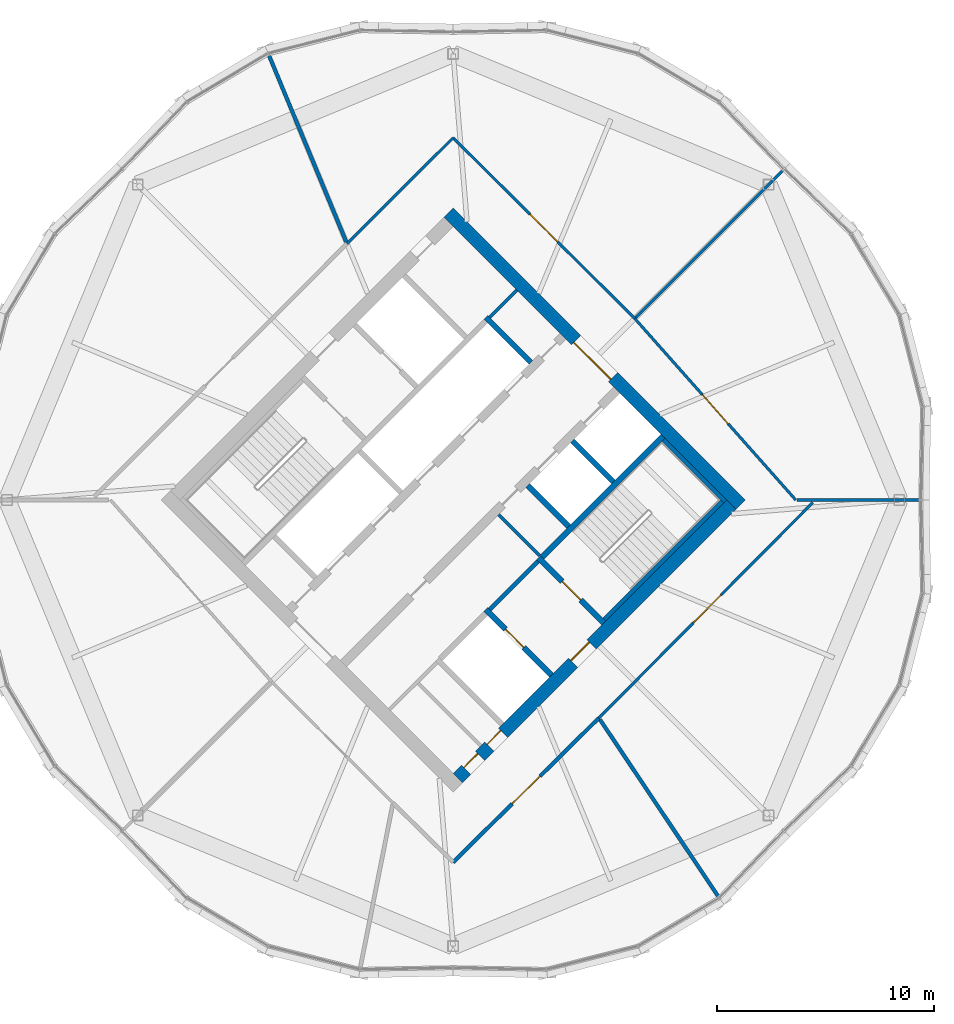
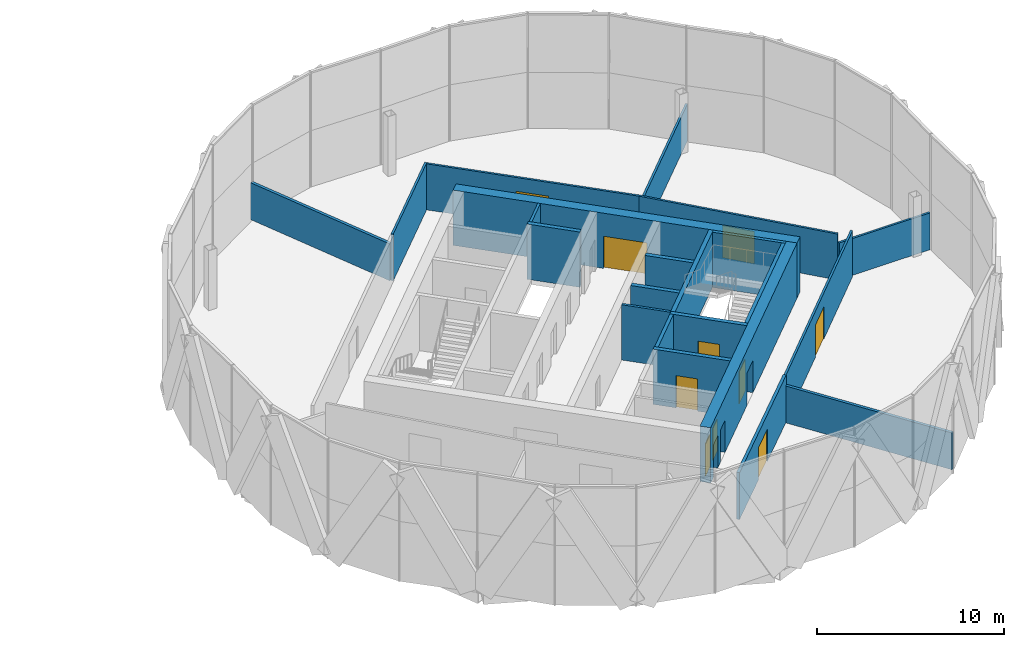
# One storey, part 22 of 27: 22 walls, 10 doors, 10 openings.
"""IFC4 building model written with IfcOpenShell, lengths in metres."""

from ifc_helpers import new_model, si_unit, direction, frame, frame_2d, origin, place, context, subcontext, project, spatial, rectangle, extrude, material, layer, layer_set, type_object, element, fill, save


model = new_model("IFC4")

# Units and contexts
model_context = context("Model", 3, precision=1e-05, world=origin(), true_north=direction((0.0, 1.0)))
body_context = subcontext(model_context, "Body", "Model", "MODEL_VIEW")
ifc_project = project(units=[si_unit("LENGTHUNIT", "METRE"), si_unit("AREAUNIT", "SQUARE_METRE"), si_unit("VOLUMEUNIT", "CUBIC_METRE"), si_unit("PLANEANGLEUNIT", "RADIAN"), si_unit("MASSUNIT", "GRAM", prefix="KILO")], contexts=[model_context])

# Site, building, storey
site_placement = place(None, origin())
site = spatial("IfcSite", under=ifc_project, at=site_placement, CompositionType="ELEMENT")
building_placement = place(site_placement, origin())
building = spatial("IfcBuilding", under=site, at=building_placement, Name="Ogive Gate Towers", CompositionType="ELEMENT")
storey_placement = place(building_placement, frame((0.0, 0.0, 189.0)))
storey = spatial("IfcBuildingStorey", under=building, at=storey_placement, Name="L45", CompositionType="ELEMENT", Elevation=189.0)

# Walls
ifc_material_1 = material(Name="Gypsum board acoustic partition")
ifc_layer_1 = layer(ifc_material_1, 0.175048828125)
ifc_layer_set_1 = layer_set([ifc_layer_1], Name="Acoustic partition 175")
wall_type_1 = type_object("IfcWallType", Name="Acoustic partition 175", PredefinedType="PARTITIONING", material=ifc_layer_set_1)
wall_1_placement = place(storey_placement, frame((27.498291015625, 20.52490234375, 0.0), z_axis=(0.0, 0.0, 1.0), x_axis=(0.382682490041, -0.923879922834, 0.0)))
element("IfcWall", 1, at=wall_1_placement, inside=storey, type_object=wall_type_1, Name="Partition T2-L45-003", PredefinedType="PARTITIONING", context=body_context, shape_type="SweptSolid", body=[
    extrude(rectangle(XDim=9.367431640625, YDim=0.175048828125, at=frame_2d((4.68359375, 0.0))), origin(), (0.0, 0.0, 1.0), 2.39990234375),
])
wall_2_placement = place(storey_placement, frame((48.2587890625, -18.331787109375, 0.0), z_axis=(0.0, 0.0, 1.0), x_axis=(-0.55588278431, 0.831260687214, 0.0)))
element("IfcWall", 2, at=wall_2_placement, inside=storey, type_object=wall_type_1, Name="Partition T2-L45-007", PredefinedType="PARTITIONING", context=body_context, shape_type="SweptSolid", body=[
    extrude(rectangle(XDim=9.90478515625, YDim=0.175048828125, at=frame_2d((4.952392578125, 0.0))), origin(), (0.0, 0.0, 1.0), 2.39990234375),
])

# Wall, opening, door
wall_3_placement = place(storey_placement, frame((36.0, -16.659423828125, 0.0), z_axis=(0.0, 0.0, 1.0), x_axis=(0.710811571556, 0.703382477563, 0.0)))
wall_3 = element("IfcWall", 3, at=wall_3_placement, inside=storey, type_object=wall_type_1, Name="Partition T2-L45-010", PredefinedType="PARTITIONING", context=body_context, shape_type="SweptSolid", body=[
    extrude(rectangle(XDim=9.431640625, YDim=0.175048828125, at=frame_2d((4.7158203125, 0.0))), origin(), (0.0, 0.0, 1.0), 3.050048828125),
])
opening_1_placement = place(wall_3_placement, frame((3.81591796875, 0.0, 0.0)))
opening_1 = element("IfcOpeningElement", 4, at=opening_1_placement, cuts=wall_3, Name="Opening T2-L45-D03", PredefinedType="OPENING", context=body_context, shape_type="SweptSolid", body=[
    extrude(rectangle(XDim=1.800048828125, YDim=2.10009765625, at=frame_2d((0.89990234375, 1.050048828125))), frame((0.0, 0.09765625, 0.0), z_axis=(0.0, -1.0, 0.0), x_axis=(1.0, 0.0, 0.0)), (0.0, 0.0, 1.0), 0.195068359375),
])
ifc_material_2 = material(Name="Timber door", Category="wood")
door_type_1 = type_object("IfcDoorType", Name="Door pair 1800", OperationType="NOTDEFINED", PredefinedType="DOOR", material=ifc_material_2)
door_1_placement = place(opening_1_placement, origin())
door_1 = element("IfcDoor", 5, at=door_1_placement, inside=storey, type_object=door_type_1, Name="Door T2-L45-D03", OperationType="DOUBLE_DOOR_DOUBLE_SWING", OverallHeight=2.10009765625, OverallWidth=1.800048828125, PredefinedType="DOOR", context=body_context, shape_type="SweptSolid", body=[
    extrude(rectangle(XDim=1.800048828125, YDim=2.10009765625, at=frame_2d((0.89990234375, 1.050048828125))), frame((0.0, 0.02490234375, 0.0), z_axis=(0.0, -1.0, 0.0), x_axis=(1.0, 0.0, 0.0)), (0.0, 0.0, 1.0), 0.050048828125),
])
fill(opening_1, door_1)

# Wall
ifc_material_3 = material(Name="Masonry blockwork", Category="masonry")
ifc_layer_2 = layer(ifc_material_3, 0.199951171875)
ifc_layer_set_2 = layer_set([ifc_layer_2], Name="Blockwork wall 200 mm")
wall_type_2 = type_object("IfcWallType", Name="Blockwork wall 200 mm", PredefinedType="PARTITIONING", material=ifc_layer_set_2)
wall_4_placement = place(storey_placement, frame((37.679443359375, -5.0380859375, 0.0), z_axis=(0.0, 0.0, 1.0), x_axis=(0.707106781187, 0.707106781187, 0.0)))
element("IfcWall", 6, at=wall_4_placement, inside=storey, type_object=wall_type_2, Name="T2 L45 Blockwork wall 200 mm", PredefinedType="PARTITIONING", context=body_context, shape_type="SweptSolid", body=[
    extrude(rectangle(XDim=3.14990234375, YDim=0.199951171875, at=frame_2d((1.574951171875, 0.0))), origin(), (0.0, 0.0, 1.0), 3.60009765625),
])

# Wall, openings, doors
ifc_material_4 = material(Name="Concrete C60/75", Category="concrete")
ifc_layer_3 = layer(ifc_material_4, 0.60009765625)
ifc_layer_set_3 = layer_set([ifc_layer_3], Name="Core wall 600 mm")
wall_type_3 = type_object("IfcWallType", Name="Core wall 600 mm", PredefinedType="SHEAR", material=ifc_layer_set_3)
wall_5_placement = place(storey_placement, frame((36.212158203125, -12.798583984375, 0.0), z_axis=(0.0, 0.0, 1.0), x_axis=(0.707106781187, 0.707106781187, 0.0)))
wall_5 = element("IfcWall", 7, at=wall_5_placement, inside=storey, type_object=wall_type_3, Name="T2 L45 Core wall 600 mm", PredefinedType="SHEAR", context=body_context, shape_type="SweptSolid", body=[
    extrude(rectangle(XDim=17.7998046875, YDim=0.60009765625, at=frame_2d((8.89990234375, 0.0))), origin(), (0.0, 0.0, 1.0), 3.60009765625),
])
opening_2_placement = place(wall_5_placement, frame((7.5, 0.0, 0.0)))
opening_2 = element("IfcOpeningElement", 8, at=opening_2_placement, cuts=wall_5, Name="Opening KD-T2-L45-19", PredefinedType="OPENING", context=body_context, shape_type="SweptSolid", body=[
    extrude(rectangle(XDim=1.199951171875, YDim=2.10009765625, at=frame_2d((0.60009765625, 1.050048828125))), frame((0.0, 0.31005859375, 0.0), z_axis=(0.0, -1.0, 0.0), x_axis=(1.0, 0.0, 0.0)), (0.0, 0.0, 1.0), 0.6201171875),
])
opening_3_placement = place(wall_5_placement, frame((0.550048828125, 0.0, 0.0)))
opening_3 = element("IfcOpeningElement", 9, at=opening_3_placement, cuts=wall_5, Name="Opening KD-T2-L45-21", PredefinedType="OPENING", context=body_context, shape_type="SweptSolid", body=[
    extrude(rectangle(XDim=0.89990234375, YDim=2.10009765625, at=frame_2d((0.449951171875, 1.050048828125))), frame((0.0, 0.31005859375, 0.0), z_axis=(0.0, -1.0, 0.0), x_axis=(1.0, 0.0, 0.0)), (0.0, 0.0, 1.0), 0.6201171875),
])
opening_4_placement = place(wall_5_placement, frame((2.050048828125, 0.0, 0.0)))
opening_4 = element("IfcOpeningElement", 10, at=opening_4_placement, cuts=wall_5, Name="Opening KD-T2-L45-22", PredefinedType="OPENING", context=body_context, shape_type="SweptSolid", body=[
    extrude(rectangle(XDim=0.89990234375, YDim=2.10009765625, at=frame_2d((0.449951171875, 1.050048828125))), frame((0.0, 0.31005859375, 0.0), z_axis=(0.0, -1.0, 0.0), x_axis=(1.0, 0.0, 0.0)), (0.0, 0.0, 1.0), 0.6201171875),
])
door_type_2 = type_object("IfcDoorType", Name="Core WC door 900 x 2100", OperationType="NOTDEFINED", PredefinedType="DOOR", material=ifc_material_2)
door_2_placement = place(opening_3_placement, origin())
door_2 = element("IfcDoor", 11, at=door_2_placement, inside=storey, type_object=door_type_2, Name="T2 L45 Core door", OperationType="SINGLE_SWING_RIGHT", OverallHeight=2.10009765625, OverallWidth=0.89990234375, PredefinedType="DOOR", context=body_context, shape_type="SweptSolid", body=[
    extrude(rectangle(XDim=0.89990234375, YDim=2.10009765625, at=frame_2d((0.449951171875, 1.050048828125))), frame((0.0, 0.1748046875, 0.0), z_axis=(0.0, -1.0, 0.0), x_axis=(1.0, 0.0, 0.0)), (0.0, 0.0, 1.0), 0.050048828125),
])
fill(opening_3, door_2)
door_3_placement = place(opening_4_placement, origin())
door_3 = element("IfcDoor", 12, at=door_3_placement, inside=storey, type_object=door_type_2, Name="T2 L45 Core door", OperationType="SINGLE_SWING_LEFT", OverallHeight=2.10009765625, OverallWidth=0.89990234375, PredefinedType="DOOR", context=body_context, shape_type="SweptSolid", body=[
    extrude(rectangle(XDim=0.89990234375, YDim=2.10009765625, at=frame_2d((0.449951171875, 1.050048828125))), frame((0.0, 0.1748046875, 0.0), z_axis=(0.0, -1.0, 0.0), x_axis=(1.0, 0.0, 0.0)), (0.0, 0.0, 1.0), 0.050048828125),
])
fill(opening_4, door_3)
ifc_material_5 = material(Name="Steel fire door", Category="steel")
door_type_3 = type_object("IfcDoorType", Name="Core door FD60S 1200 x 2100", OperationType="NOTDEFINED", PredefinedType="DOOR", material=ifc_material_5)
door_4_placement = place(opening_2_placement, origin())
door_4 = element("IfcDoor", 13, at=door_4_placement, inside=storey, type_object=door_type_3, Name="T2 L45 Fire-fighting lobby door", OperationType="SINGLE_SWING_RIGHT", OverallHeight=2.10009765625, OverallWidth=1.199951171875, PredefinedType="DOOR", context=body_context, shape_type="SweptSolid", body=[
    extrude(rectangle(XDim=1.199951171875, YDim=2.10009765625, at=frame_2d((0.60009765625, 1.050048828125))), frame((0.0, 0.1748046875, 0.0), z_axis=(0.0, -1.0, 0.0), x_axis=(1.0, 0.0, 0.0)), (0.0, 0.0, 1.0), 0.050048828125),
])
fill(opening_2, door_4)

# Wall, opening, door
wall_6_placement = place(storey_placement, frame((49.222900390625, -0.212158203125, 0.0), z_axis=(0.0, 0.0, 1.0), x_axis=(-0.707106781187, 0.707106781187, 0.0)))
wall_6 = element("IfcWall", 14, at=wall_6_placement, inside=storey, type_object=wall_type_3, Name="T2 L45 Core wall 600 mm", PredefinedType="SHEAR", context=body_context, shape_type="SweptSolid", body=[
    extrude(rectangle(XDim=19.0, YDim=0.60009765625, at=frame_2d((9.5, 0.0))), origin(), (0.0, 0.0, 1.0), 3.60009765625),
])
opening_5_placement = place(wall_6_placement, frame((8.300048828125, 0.0, 0.0)))
opening_5 = element("IfcOpeningElement", 15, at=opening_5_placement, cuts=wall_6, Name="Opening KD-T2-L45-02", PredefinedType="OPENING", context=body_context, shape_type="SweptSolid", body=[
    extrude(rectangle(XDim=2.39990234375, YDim=2.10009765625, at=frame_2d((1.199951171875, 1.050048828125))), frame((0.0, 0.31005859375, 0.0), z_axis=(0.0, -1.0, 0.0), x_axis=(1.0, 0.0, 0.0)), (0.0, 0.0, 1.0), 0.6201171875),
])
door_type_4 = type_object("IfcDoorType", Name="Core double door FD60S 2400 x 2100", OperationType="DOUBLE_DOOR_SINGLE_SWING", PredefinedType="DOOR", material=ifc_material_5)
door_5_placement = place(opening_5_placement, origin())
door_5 = element("IfcDoor", 16, at=door_5_placement, inside=storey, type_object=door_type_4, Name="T2 L45 Core door double", OperationType="DOUBLE_DOOR_SINGLE_SWING", OverallHeight=2.10009765625, OverallWidth=2.39990234375, PredefinedType="DOOR", context=body_context, shape_type="SweptSolid", body=[
    extrude(rectangle(XDim=2.39990234375, YDim=2.10009765625, at=frame_2d((1.199951171875, 1.050048828125))), frame((0.0, 0.1748046875, 0.0), z_axis=(0.0, -1.0, 0.0), x_axis=(1.0, 0.0, 0.0)), (0.0, 0.0, 1.0), 0.050048828125),
])
fill(opening_5, door_5)

# Walls
ifc_material_6 = material(Name="Gypsum board partition")
ifc_layer_4 = layer(ifc_material_6, 0.125)
ifc_layer_set_4 = layer_set([ifc_layer_4], Name="Partition 125")
wall_type_4 = type_object("IfcWallType", Name="Partition 125", PredefinedType="PARTITIONING", material=ifc_layer_set_4)
wall_7_placement = place(storey_placement, frame((57.4189453125, 0.0, 0.0), z_axis=(0.0, 0.0, 1.0), x_axis=(-1.0, 0.0, 0.0)))
element("IfcWall", 17, at=wall_7_placement, inside=storey, type_object=wall_type_4, Name="Partition T2-L45-001", PredefinedType="PARTITIONING", context=body_context, shape_type="SweptSolid", body=[
    extrude(rectangle(XDim=5.596435546875, YDim=0.125, at=frame_2d((2.79833984375, 0.0))), origin(), (0.0, 0.0, 1.0), 2.39990234375),
])
wall_8_placement = place(storey_placement, frame((51.248291015625, 15.248291015625, 0.0), z_axis=(0.0, 0.0, 1.0), x_axis=(-0.707106781187, -0.707106781187, 0.0)))
element("IfcWall", 18, at=wall_8_placement, inside=storey, type_object=wall_type_4, Name="Partition T2-L45-002", PredefinedType="PARTITIONING", context=body_context, shape_type="SweptSolid", body=[
    extrude(rectangle(XDim=9.69189453125, YDim=0.125, at=frame_2d((4.845947265625, 0.0))), origin(), (0.0, 0.0, 1.0), 2.39990234375),
])

# Wall, opening, door
wall_9_placement = place(storey_placement, frame((42.7041015625, -10.025390625, 0.0), z_axis=(0.0, 0.0, 1.0), x_axis=(0.704620567284, 0.709584284042, 0.0)))
wall_9 = element("IfcWall", 19, at=wall_9_placement, inside=storey, type_object=wall_type_4, Name="Partition T2-L45-012", PredefinedType="PARTITIONING", context=body_context, shape_type="SweptSolid", body=[
    extrude(rectangle(XDim=13.968505859375, YDim=0.125, at=frame_2d((6.984375, 0.0))), origin(), (0.0, 0.0, 1.0), 3.0),
])
opening_6_placement = place(wall_9_placement, frame((6.1640625, 0.0, 0.0)))
opening_6 = element("IfcOpeningElement", 20, at=opening_6_placement, cuts=wall_9, Name="Opening T2-L45-D04", PredefinedType="OPENING", context=body_context, shape_type="SweptSolid", body=[
    extrude(rectangle(XDim=1.800048828125, YDim=2.10009765625, at=frame_2d((0.89990234375, 1.050048828125))), frame((0.0, 0.072509765625, 0.0), z_axis=(0.0, -1.0, 0.0), x_axis=(1.0, 0.0, 0.0)), (0.0, 0.0, 1.0), 0.14501953125),
])
door_6_placement = place(opening_6_placement, origin())
door_6 = element("IfcDoor", 21, at=door_6_placement, inside=storey, type_object=door_type_1, Name="Door T2-L45-D04", OperationType="DOUBLE_DOOR_DOUBLE_SWING", OverallHeight=2.10009765625, OverallWidth=1.800048828125, PredefinedType="DOOR", context=body_context, shape_type="SweptSolid", body=[
    extrude(rectangle(XDim=1.800048828125, YDim=2.10009765625, at=frame_2d((0.89990234375, 1.050048828125))), frame((0.0, 0.02490234375, 0.0), z_axis=(0.0, -1.0, 0.0), x_axis=(1.0, 0.0, 0.0)), (0.0, 0.0, 1.0), 0.050048828125),
])
fill(opening_6, door_6)

wall_10_placement = place(storey_placement, frame((51.760009765625, 0.0, 0.0), z_axis=(0.0, 0.0, 1.0), x_axis=(-0.663674010549, 0.748021929974, 0.0)))
wall_10 = element("IfcWall", 22, at=wall_10_placement, inside=storey, type_object=wall_type_4, Name="Partition T2-L45-013", PredefinedType="PARTITIONING", context=body_context, shape_type="SweptSolid", body=[
    extrude(rectangle(XDim=11.163818359375, YDim=0.125, at=frame_2d((5.58203125, 0.0))), origin(), (0.0, 0.0, 1.0), 3.0),
])
opening_7_placement = place(wall_10_placement, frame((4.681884765625, 0.0, 0.0)))
opening_7 = element("IfcOpeningElement", 23, at=opening_7_placement, cuts=wall_10, Name="Opening T2-L45-D05", PredefinedType="OPENING", context=body_context, shape_type="SweptSolid", body=[
    extrude(rectangle(XDim=1.800048828125, YDim=2.10009765625, at=frame_2d((0.89990234375, 1.050048828125))), frame((0.0, 0.072509765625, 0.0), z_axis=(0.0, -1.0, 0.0), x_axis=(1.0, 0.0, 0.0)), (0.0, 0.0, 1.0), 0.14501953125),
])
door_7_placement = place(opening_7_placement, origin())
door_7 = element("IfcDoor", 24, at=door_7_placement, inside=storey, type_object=door_type_1, Name="Door T2-L45-D05", OperationType="DOUBLE_DOOR_DOUBLE_SWING", OverallHeight=2.10009765625, OverallWidth=1.800048828125, PredefinedType="DOOR", context=body_context, shape_type="SweptSolid", body=[
    extrude(rectangle(XDim=1.800048828125, YDim=2.10009765625, at=frame_2d((0.89990234375, 1.050048828125))), frame((0.0, 0.02490234375, 0.0), z_axis=(0.0, -1.0, 0.0), x_axis=(1.0, 0.0, 0.0)), (0.0, 0.0, 1.0), 0.050048828125),
])
fill(opening_7, door_7)

wall_11_placement = place(storey_placement, frame((44.350830078125, 8.350830078125, 0.0), z_axis=(0.0, 0.0, 1.0), x_axis=(-0.70889721762, 0.705311799738, 0.0)))
wall_11 = element("IfcWall", 25, at=wall_11_placement, inside=storey, type_object=wall_type_4, Name="Partition T2-L45-014", PredefinedType="PARTITIONING", context=body_context, shape_type="SweptSolid", body=[
    extrude(rectangle(XDim=11.780029296875, YDim=0.125, at=frame_2d((5.89013671875, 0.0))), origin(), (0.0, 0.0, 1.0), 3.0),
])
opening_8_placement = place(wall_11_placement, frame((4.989990234375, 0.0, 0.0)))
opening_8 = element("IfcOpeningElement", 26, at=opening_8_placement, cuts=wall_11, Name="Opening T2-L45-D06", PredefinedType="OPENING", context=body_context, shape_type="SweptSolid", body=[
    extrude(rectangle(XDim=1.800048828125, YDim=2.10009765625, at=frame_2d((0.89990234375, 1.050048828125))), frame((0.0, 0.072509765625, 0.0), z_axis=(0.0, -1.0, 0.0), x_axis=(1.0, 0.0, 0.0)), (0.0, 0.0, 1.0), 0.14501953125),
])
door_8_placement = place(opening_8_placement, origin())
door_8 = element("IfcDoor", 27, at=door_8_placement, inside=storey, type_object=door_type_1, Name="Door T2-L45-D06", OperationType="DOUBLE_DOOR_DOUBLE_SWING", OverallHeight=2.10009765625, OverallWidth=1.800048828125, PredefinedType="DOOR", context=body_context, shape_type="SweptSolid", body=[
    extrude(rectangle(XDim=1.800048828125, YDim=2.10009765625, at=frame_2d((0.89990234375, 1.050048828125))), frame((0.0, 0.02490234375, 0.0), z_axis=(0.0, -1.0, 0.0), x_axis=(1.0, 0.0, 0.0)), (0.0, 0.0, 1.0), 0.050048828125),
])
fill(opening_8, door_8)

# Walls
wall_12_placement = place(storey_placement, frame((36.0, 16.659423828125, 0.0), z_axis=(0.0, 0.0, 1.0), x_axis=(-0.708097323547, -0.706114849288, 0.0)))
element("IfcWall", 28, at=wall_12_placement, inside=storey, type_object=wall_type_4, Name="Partition T2-L45-015", PredefinedType="PARTITIONING", context=body_context, shape_type="SweptSolid", body=[
    extrude(rectangle(XDim=6.896484375, YDim=0.125, at=frame_2d((3.4482421875, 0.0))), origin(), (0.0, 0.0, 1.0), 3.050048828125),
])
ifc_layer_5 = layer(ifc_material_6, 0.14990234375)
ifc_layer_set_5 = layer_set([ifc_layer_5], Name="Room partition 150 mm")
wall_type_5 = type_object("IfcWallType", Name="Room partition 150 mm", PredefinedType="PARTITIONING", material=ifc_layer_set_5)
wall_13_placement = place(storey_placement, frame((37.679443359375, 8.39697265625, 0.0), z_axis=(0.0, 0.0, 1.0), x_axis=(0.707106781187, 0.707106781187, 0.0)))
element("IfcWall", 29, at=wall_13_placement, inside=storey, type_object=wall_type_5, Name="T2 L45 Room partition 150 mm", PredefinedType="PARTITIONING", context=body_context, shape_type="SweptSolid", body=[
    extrude(rectangle(XDim=1.77490234375, YDim=0.14990234375, at=frame_2d((0.887451171875, 0.0))), origin(), (0.0, 0.0, 1.0), 3.60009765625),
])
wall_14_placement = place(storey_placement, frame((39.9775390625, -2.563232421875, 0.0), z_axis=(0.0, 0.0, 1.0), x_axis=(-0.707152414227, 0.707061145201, 0.0)))
element("IfcWall", 30, at=wall_14_placement, inside=storey, type_object=wall_type_5, Name="T2 L45 Room partition 150 mm", PredefinedType="PARTITIONING", context=body_context, shape_type="SweptSolid", body=[
    extrude(rectangle(XDim=2.675048828125, YDim=0.14990234375, at=frame_2d((1.33740234375, 0.0))), origin(), (0.0, 0.0, 1.0), 3.60009765625),
])
ifc_layer_6 = layer(ifc_material_4, 0.25)
ifc_layer_set_6 = layer_set([ifc_layer_6], Name="Shaft wall 250 mm")
wall_type_6 = type_object("IfcWallType", Name="Shaft wall 250 mm", PredefinedType="SHEAR", material=ifc_layer_set_6)
wall_15_placement = place(storey_placement, frame((40.08349609375, -2.634033203125, 0.0), z_axis=(0.0, 0.0, 1.0), x_axis=(0.707106781187, 0.707106781187, 0.0)))
element("IfcWall", 31, at=wall_15_placement, inside=storey, type_object=wall_type_6, Name="T2 L45 Shaft wall 250 mm", PredefinedType="SHEAR", context=body_context, shape_type="SweptSolid", body=[
    extrude(rectangle(XDim=7.875244140625, YDim=0.25, at=frame_2d((3.9375, 0.0))), origin(), (0.0, 0.0, 1.0), 3.60009765625),
])

# Wall, opening, door
wall_16_placement = place(storey_placement, frame((40.525390625, -8.06103515625, 0.0), z_axis=(0.0, 0.0, 1.0), x_axis=(-0.707078225638, 0.707135335582, 0.0)))
wall_16 = element("IfcWall", 32, at=wall_16_placement, inside=storey, type_object=wall_type_6, Name="T2 L45 Shaft wall 250 mm", PredefinedType="SHEAR", context=body_context, shape_type="SweptSolid", body=[
    extrude(rectangle(XDim=4.27490234375, YDim=0.25, at=frame_2d((2.137451171875, 0.0))), origin(), (0.0, 0.0, 1.0), 3.60009765625),
])
opening_9_placement = place(wall_16_placement, frame((1.800048828125, 0.0, 0.0)))
opening_9 = element("IfcOpeningElement", 33, at=opening_9_placement, cuts=wall_16, Name="Opening LD-T2-L45-13", PredefinedType="OPENING", context=body_context, shape_type="SweptSolid", body=[
    extrude(rectangle(XDim=1.199951171875, YDim=2.10009765625, at=frame_2d((0.60009765625, 1.050048828125))), frame((0.0, 0.135009765625, 0.0), z_axis=(0.0, -1.0, 0.0), x_axis=(1.0, 0.0, 0.0)), (0.0, 0.0, 1.0), 0.27001953125),
])
ifc_material_7 = material(Name="Stainless steel landing door", Category="steel")
door_type_5 = type_object("IfcDoorType", Name="Landing door 1200 x 2100", OperationType="SLIDING_TO_LEFT", PredefinedType="DOOR", material=ifc_material_7)
door_9_placement = place(opening_9_placement, origin())
door_9 = element("IfcDoor", 34, at=door_9_placement, inside=storey, type_object=door_type_5, Name="T2 L45 Lift landing door FF2", OperationType="SLIDING_TO_LEFT", OverallHeight=2.10009765625, OverallWidth=1.199951171875, PredefinedType="DOOR", context=body_context, shape_type="SweptSolid", body=[
    extrude(rectangle(XDim=1.199951171875, YDim=2.10009765625, at=frame_2d((0.60009765625, 1.050048828125))), frame((0.0, 0.02490234375, 0.0), z_axis=(0.0, -1.0, 0.0), x_axis=(1.0, 0.0, 0.0)), (0.0, 0.0, 1.0), 0.050048828125),
])
fill(opening_9, door_9)

wall_17_placement = place(storey_placement, frame((42.9296875, -5.656982421875, 0.0), z_axis=(0.0, 0.0, 1.0), x_axis=(-0.707106781187, 0.707106781187, 0.0)))
wall_17 = element("IfcWall", 35, at=wall_17_placement, inside=storey, type_object=wall_type_6, Name="T2 L45 Shaft wall 250 mm", PredefinedType="SHEAR", context=body_context, shape_type="SweptSolid", body=[
    extrude(rectangle(XDim=4.250244140625, YDim=0.25, at=frame_2d((2.125, 0.0))), origin(), (0.0, 0.0, 1.0), 3.60009765625),
])
opening_10_placement = place(wall_17_placement, frame((1.5, 0.0, 0.0)))
opening_10 = element("IfcOpeningElement", 36, at=opening_10_placement, cuts=wall_17, Name="Opening KD-T2-L45-17", PredefinedType="OPENING", context=body_context, shape_type="SweptSolid", body=[
    extrude(rectangle(XDim=1.199951171875, YDim=2.10009765625, at=frame_2d((0.60009765625, 1.050048828125))), frame((0.0, 0.135009765625, 0.0), z_axis=(0.0, -1.0, 0.0), x_axis=(1.0, 0.0, 0.0)), (0.0, 0.0, 1.0), 0.27001953125),
])
door_10_placement = place(opening_10_placement, origin())
door_10 = element("IfcDoor", 37, at=door_10_placement, inside=storey, type_object=door_type_3, Name="T2 L45 Stair door", OperationType="SINGLE_SWING_RIGHT", OverallHeight=2.10009765625, OverallWidth=1.199951171875, PredefinedType="DOOR", context=body_context, shape_type="SweptSolid", body=[
    extrude(rectangle(XDim=1.199951171875, YDim=2.10009765625, at=frame_2d((0.60009765625, 1.050048828125))), frame((0.0, 0.02490234375, 0.0), z_axis=(0.0, -1.0, 0.0), x_axis=(1.0, 0.0, 0.0)), (0.0, 0.0, 1.0), 0.050048828125),
])
fill(opening_10, door_10)

# Walls
for number, where, z_axis, x_axis, name in (
    (38, (41.321044921875, -1.2197265625, 0.0), (0.0, 0.0, 1.0), (-0.707106781187, 0.707106781187, 0.0), "T2 L45 Shaft wall 250 mm"),
    (39, (43.37158203125, 0.830810546875, 0.0), (0.0, 0.0, 1.0), (-0.707106781187, 0.707106781187, 0.0), "T2 L45 Shaft wall 250 mm"),
):
    element("IfcWall", number, at=place(storey_placement, frame(where, z_axis=z_axis, x_axis=x_axis)), inside=storey, type_object=wall_type_6, Name=name, PredefinedType="SHEAR", context=body_context, shape_type="SweptSolid", body=[
        extrude(rectangle(XDim=2.675048828125, YDim=0.25, at=frame_2d((1.33740234375, 0.0))), origin(), (0.0, 0.0, 1.0), 3.60009765625),
    ])
wall_18_placement = place(storey_placement, frame((39.57080078125, 6.32861328125, 0.0), z_axis=(0.0, 0.0, 1.0), x_axis=(-0.707065045505, 0.707148514405, 0.0)))
element("IfcWall", 40, at=wall_18_placement, inside=storey, type_object=wall_type_6, Name="T2 L45 Shaft wall 250 mm", PredefinedType="SHEAR", context=body_context, shape_type="SweptSolid", body=[
    extrude(rectangle(XDim=2.925048828125, YDim=0.25, at=frame_2d((1.46240234375, 0.0))), origin(), (0.0, 0.0, 1.0), 3.60009765625),
])
ifc_layer_7 = layer(ifc_material_4, 0.199951171875)
ifc_layer_set_7 = layer_set([ifc_layer_7], Name="Stair wall 200 mm")
wall_type_7 = type_object("IfcWallType", Name="Stair wall 200 mm", PredefinedType="SHEAR", material=ifc_layer_set_7)
wall_19_placement = place(storey_placement, frame((42.947265625, -5.497802734375, 0.0), z_axis=(0.0, 0.0, 1.0), x_axis=(0.707122685701, 0.707090876314, 0.0)))
element("IfcWall", 41, at=wall_19_placement, inside=storey, type_object=wall_type_7, Name="T2 L45 Stair wall 200 mm", PredefinedType="SHEAR", context=body_context, shape_type="SweptSolid", body=[
    extrude(rectangle(XDim=7.675048828125, YDim=0.199951171875, at=frame_2d((3.83740234375, 0.0))), origin(), (0.0, 0.0, 1.0), 3.60009765625),
])
wall_20_placement = place(storey_placement, frame((48.515869140625, -0.07080078125, 0.0), z_axis=(0.0, 0.0, 1.0), x_axis=(-0.707106781187, 0.707106781187, 0.0)))
element("IfcWall", 42, at=wall_20_placement, inside=storey, type_object=wall_type_7, Name="T2 L45 Stair wall 200 mm", PredefinedType="SHEAR", context=body_context, shape_type="SweptSolid", body=[
    extrude(rectangle(XDim=4.025146484375, YDim=0.199951171875, at=frame_2d((2.0126953125, 0.0))), origin(), (0.0, 0.0, 1.0), 3.60009765625),
])

save(model, "model.ifc")
